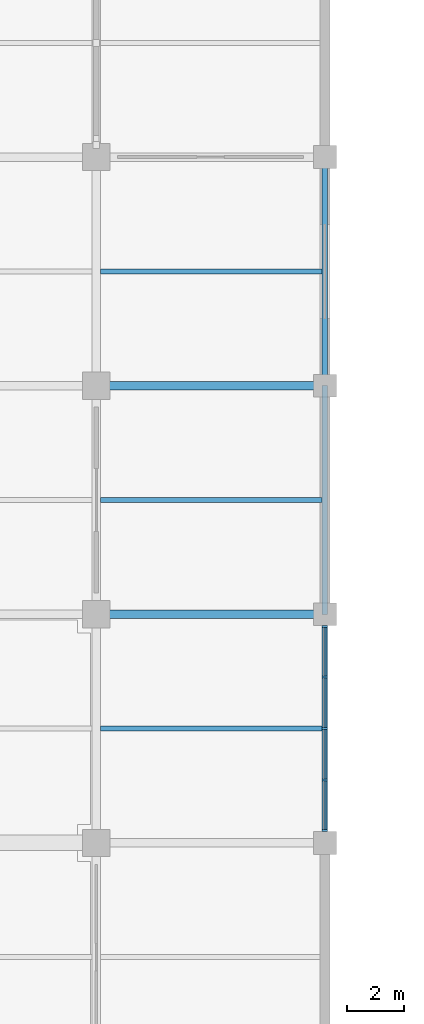
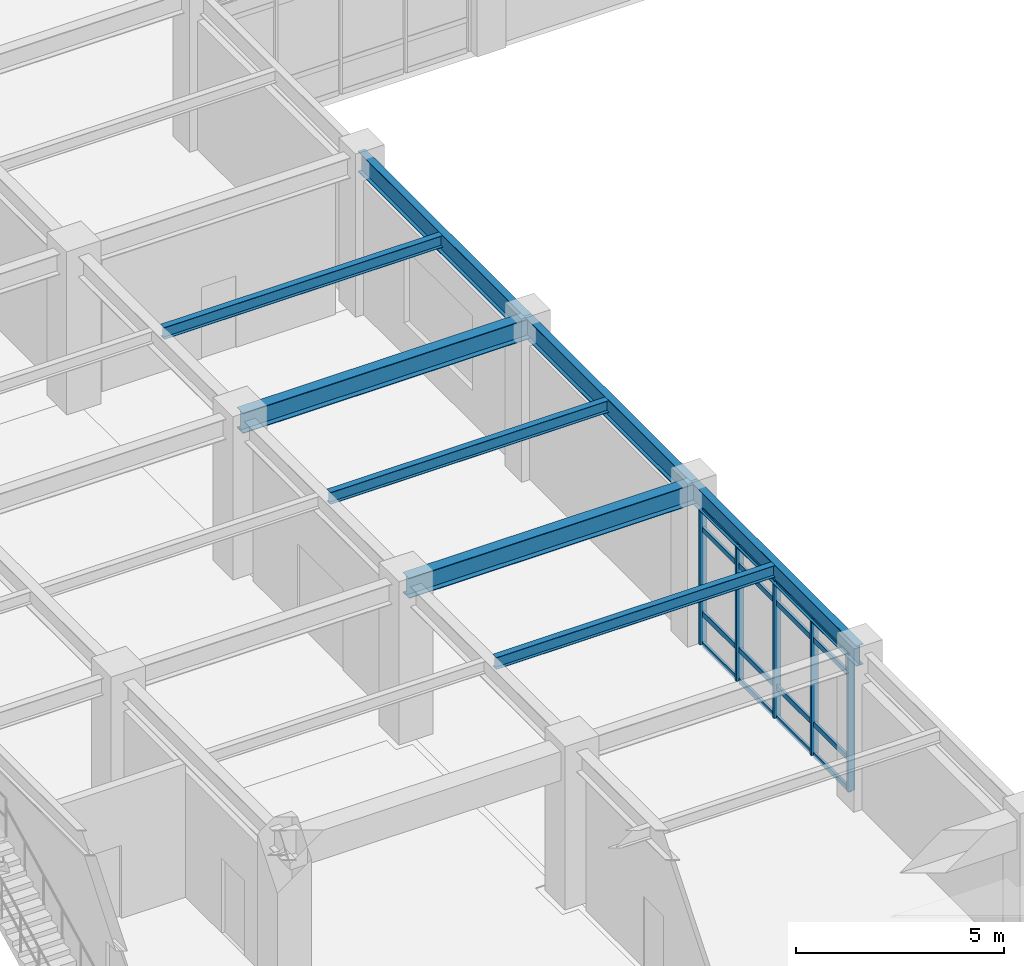
# One storey, part 33 of 109: 21 members, 8 beams, 1 element without a shape of its own.
"""IFC4 building model written with IfcOpenShell, lengths in metres."""

from ifc_helpers import new_model, si_unit, direction, frame, origin, origin_2d, place, context, subcontext, project, spatial, rectangle, i_section, extrude, material, layer, layer_set, material_profile, profile_set, type_object, element, aggregate, save


model = new_model("IFC4")

# Units and contexts
model_context = context("Model", 3, precision=1e-05, world=origin(), true_north=direction((0.0, 1.0)))
body_context = subcontext(model_context, "Body", "Model", "MODEL_VIEW")
ifc_project = project(units=[si_unit("LENGTHUNIT", "METRE"), si_unit("AREAUNIT", "SQUARE_METRE"), si_unit("VOLUMEUNIT", "CUBIC_METRE"), si_unit("PLANEANGLEUNIT", "RADIAN"), si_unit("MASSUNIT", "GRAM", prefix="KILO")], contexts=[model_context])

# Site, building, storey
site_placement = place(None, origin())
site = spatial("IfcSite", under=ifc_project, at=site_placement, CompositionType="ELEMENT")
building_placement = place(site_placement, origin())
building = spatial("IfcBuilding", under=site, at=building_placement, Name="Haebicheon Civic Stadium", CompositionType="ELEMENT")
storey_placement = place(building_placement, frame((0.0, 0.0, 9.60009765625)))
storey = spatial("IfcBuildingStorey", under=building, at=storey_placement, Name="L03", CompositionType="ELEMENT", Elevation=9.60009765625)

# Beams
ifc_material_1 = material(Name="Steel SM355 (S355)", Category="steel")
ifc_material_profile_1 = material_profile(ifc_material_1, i_section(OverallWidth=0.300048828125, OverallDepth=0.60009765625, WebThickness=0.011962890625, FlangeThickness=0.02001953125, at=origin_2d()), Name="H-600x300x12x20")
ifc_profile_set_1 = profile_set([ifc_material_profile_1], Name="Steel SM355 (S355)")
beam_type_1 = type_object("IfcBeamType", Name="BM-ST-H600A", PredefinedType="BEAM", material=ifc_profile_set_1)
for number, where, z_axis, x_axis, name in (
    (1, (160.0, 112.0, 4.239990234375), (1.0, 0.0, 0.0), (0.0, 1.0, 0.0), "L03 beam Q/21-22"),
    (2, (160.0, 120.0, 4.239990234375), (1.0, 0.0, 0.0), (0.0, 1.0, 0.0), "L03 beam R/21-22"),
):
    element("IfcBeam", number, at=place(storey_placement, frame(where, z_axis=z_axis, x_axis=x_axis)), inside=storey, type_object=beam_type_1, material=ifc_profile_set_1, Name=name, PredefinedType="BEAM", context=body_context, shape_type="SweptSolid", body=[
        extrude(i_section(OverallWidth=0.300048828125, OverallDepth=0.60009765625, WebThickness=0.011962890625, FlangeThickness=0.02001953125, at=origin_2d()), origin(), (0.0, 0.0, 1.0), 8.0),
    ])

# Curtain wall, members
ifc_material_2 = material(Name="Anodised aluminium and laminated glass", Category="aluminium")
ifc_layer = layer(ifc_material_2, 0.179931640625, Name="Anodised aluminium and laminated glass")
ifc_layer_set = layer_set([ifc_layer], Name="Anodised aluminium and laminated glass")
curtain_wall_type = type_object("IfcCurtainWallType", Name="CW-7200x3930", PredefinedType="NOTDEFINED", material=ifc_layer_set)
curtain_wall_placement = place(storey_placement, origin())
curtain_wall = element("IfcCurtainWall", 3, at=curtain_wall_placement, inside=storey, type_object=curtain_wall_type, material=ifc_layer_set, Name="L03 unitised curtain wall 089", PredefinedType="NOTDEFINED")
ifc_material_3 = material(Name="Anodised aluminium 6063-T6", Category="aluminium")
ifc_material_profile_2 = material_profile(ifc_material_3, rectangle(XDim=0.070068359375, YDim=0.199951171875, at=origin_2d()), Name="ALU-MULL-70x200")
ifc_profile_set_2 = profile_set([ifc_material_profile_2], Name="Anodised aluminium 6063-T6")
member_type_1 = type_object("IfcMemberType", Name="CWM-200x70", PredefinedType="MULLION", material=ifc_profile_set_2)
member_1_placement = place(storey_placement, frame((168.0, 104.43505859375, 0.0), z_axis=(0.0, 0.0, 1.0), x_axis=(0.0, 1.0, 0.0)))
member_1 = element("IfcMember", 4, at=member_1_placement, type_object=member_type_1, material=ifc_profile_set_2, Name="CW-L03-089 vertical mullion 1", PredefinedType="MULLION", context=body_context, shape_type="SweptSolid", body=[
    extrude(rectangle(XDim=0.070068359375, YDim=0.199951171875, at=origin_2d()), origin(), (0.0, 0.0, 1.0), 3.929931640625),
])
member_2_placement = place(storey_placement, frame((168.0, 106.199951171875, 0.0), z_axis=(0.0, 0.0, 1.0), x_axis=(0.0, 1.0, 0.0)))
member_2 = element("IfcMember", 5, at=member_2_placement, type_object=member_type_1, material=ifc_profile_set_2, Name="CW-L03-089 vertical mullion 2", PredefinedType="MULLION", context=body_context, shape_type="SweptSolid", body=[
    extrude(rectangle(XDim=0.070068359375, YDim=0.199951171875, at=origin_2d()), origin(), (0.0, 0.0, 1.0), 3.929931640625),
])
member_3_placement = place(storey_placement, frame((168.0, 108.0, 0.0), z_axis=(0.0, 0.0, 1.0), x_axis=(0.0, 1.0, 0.0)))
member_3 = element("IfcMember", 6, at=member_3_placement, type_object=member_type_1, material=ifc_profile_set_2, Name="CW-L03-089 vertical mullion 3", PredefinedType="MULLION", context=body_context, shape_type="SweptSolid", body=[
    extrude(rectangle(XDim=0.070068359375, YDim=0.199951171875, at=origin_2d()), origin(), (0.0, 0.0, 1.0), 3.929931640625),
])
member_4_placement = place(storey_placement, frame((168.0, 109.800048828125, 0.0), z_axis=(0.0, 0.0, 1.0), x_axis=(0.0, 1.0, 0.0)))
member_4 = element("IfcMember", 7, at=member_4_placement, type_object=member_type_1, material=ifc_profile_set_2, Name="CW-L03-089 vertical mullion 4", PredefinedType="MULLION", context=body_context, shape_type="SweptSolid", body=[
    extrude(rectangle(XDim=0.070068359375, YDim=0.199951171875, at=origin_2d()), origin(), (0.0, 0.0, 1.0), 3.929931640625),
])
member_5_placement = place(storey_placement, frame((168.0, 111.56494140625, 0.0), z_axis=(0.0, 0.0, 1.0), x_axis=(0.0, 1.0, 0.0)))
member_5 = element("IfcMember", 8, at=member_5_placement, type_object=member_type_1, material=ifc_profile_set_2, Name="CW-L03-089 vertical mullion 5", PredefinedType="MULLION", context=body_context, shape_type="SweptSolid", body=[
    extrude(rectangle(XDim=0.070068359375, YDim=0.199951171875, at=origin_2d()), origin(), (0.0, 0.0, 1.0), 3.929931640625),
])
ifc_material_4 = material(Name="Anodised aluminium 6063-T6", Category="aluminium")
ifc_material_profile_3 = material_profile(ifc_material_4, rectangle(XDim=0.070068359375, YDim=0.14990234375, at=origin_2d()), Name="ALU-TRAN-70x150")
ifc_profile_set_3 = profile_set([ifc_material_profile_3], Name="Anodised aluminium 6063-T6")
member_type_2 = type_object("IfcMemberType", Name="CWT-150x70", PredefinedType="NOTDEFINED", material=ifc_profile_set_3)
member_6_placement = place(storey_placement, frame((168.0, 104.469970703125, 0.0), z_axis=(0.0, 1.0, 0.0), x_axis=(-1.0, 0.0, 0.0)))
member_6 = element("IfcMember", 9, at=member_6_placement, type_object=member_type_2, material=ifc_profile_set_3, Name="CW-L03-089 horizontal transom 1.1", ObjectType="TRANSOM", PredefinedType="USERDEFINED", context=body_context, shape_type="SweptSolid", body=[
    extrude(rectangle(XDim=0.070068359375, YDim=0.14990234375, at=origin_2d()), origin(), (0.0, 0.0, 1.0), 1.695068359375),
])
member_7_placement = place(storey_placement, frame((168.0, 104.469970703125, 0.89990234375), z_axis=(0.0, 1.0, 0.0), x_axis=(-1.0, 0.0, 0.0)))
member_7 = element("IfcMember", 10, at=member_7_placement, type_object=member_type_2, material=ifc_profile_set_3, Name="CW-L03-089 horizontal transom 1.2", ObjectType="TRANSOM", PredefinedType="USERDEFINED", context=body_context, shape_type="SweptSolid", body=[
    extrude(rectangle(XDim=0.070068359375, YDim=0.14990234375, at=origin_2d()), origin(), (0.0, 0.0, 1.0), 1.695068359375),
])
member_8_placement = place(storey_placement, frame((168.0, 104.469970703125, 3.3798828125), z_axis=(0.0, 1.0, 0.0), x_axis=(-1.0, 0.0, 0.0)))
member_8 = element("IfcMember", 11, at=member_8_placement, type_object=member_type_2, material=ifc_profile_set_3, Name="CW-L03-089 horizontal transom 1.3", ObjectType="TRANSOM", PredefinedType="USERDEFINED", context=body_context, shape_type="SweptSolid", body=[
    extrude(rectangle(XDim=0.070068359375, YDim=0.14990234375, at=origin_2d()), origin(), (0.0, 0.0, 1.0), 1.695068359375),
])
member_9_placement = place(storey_placement, frame((168.0, 104.469970703125, 3.929931640625), z_axis=(0.0, 1.0, 0.0), x_axis=(-1.0, 0.0, 0.0)))
member_9 = element("IfcMember", 12, at=member_9_placement, type_object=member_type_2, material=ifc_profile_set_3, Name="CW-L03-089 horizontal transom 1.4", ObjectType="TRANSOM", PredefinedType="USERDEFINED", context=body_context, shape_type="SweptSolid", body=[
    extrude(rectangle(XDim=0.070068359375, YDim=0.14990234375, at=origin_2d()), origin(), (0.0, 0.0, 1.0), 1.695068359375),
])
member_10_placement = place(storey_placement, frame((168.0, 106.235107421875, 0.0), z_axis=(0.0, 1.0, 0.0), x_axis=(-1.0, 0.0, 0.0)))
member_10 = element("IfcMember", 13, at=member_10_placement, type_object=member_type_2, material=ifc_profile_set_3, Name="CW-L03-089 horizontal transom 2.1", ObjectType="TRANSOM", PredefinedType="USERDEFINED", context=body_context, shape_type="SweptSolid", body=[
    extrude(rectangle(XDim=0.070068359375, YDim=0.14990234375, at=origin_2d()), origin(), (0.0, 0.0, 1.0), 1.72998046875),
])
member_11_placement = place(storey_placement, frame((168.0, 106.235107421875, 0.89990234375), z_axis=(0.0, 1.0, 0.0), x_axis=(-1.0, 0.0, 0.0)))
member_11 = element("IfcMember", 14, at=member_11_placement, type_object=member_type_2, material=ifc_profile_set_3, Name="CW-L03-089 horizontal transom 2.2", ObjectType="TRANSOM", PredefinedType="USERDEFINED", context=body_context, shape_type="SweptSolid", body=[
    extrude(rectangle(XDim=0.070068359375, YDim=0.14990234375, at=origin_2d()), origin(), (0.0, 0.0, 1.0), 1.72998046875),
])
member_12_placement = place(storey_placement, frame((168.0, 106.235107421875, 3.3798828125), z_axis=(0.0, 1.0, 0.0), x_axis=(-1.0, 0.0, 0.0)))
member_12 = element("IfcMember", 15, at=member_12_placement, type_object=member_type_2, material=ifc_profile_set_3, Name="CW-L03-089 horizontal transom 2.3", ObjectType="TRANSOM", PredefinedType="USERDEFINED", context=body_context, shape_type="SweptSolid", body=[
    extrude(rectangle(XDim=0.070068359375, YDim=0.14990234375, at=origin_2d()), origin(), (0.0, 0.0, 1.0), 1.72998046875),
])
member_13_placement = place(storey_placement, frame((168.0, 106.235107421875, 3.929931640625), z_axis=(0.0, 1.0, 0.0), x_axis=(-1.0, 0.0, 0.0)))
member_13 = element("IfcMember", 16, at=member_13_placement, type_object=member_type_2, material=ifc_profile_set_3, Name="CW-L03-089 horizontal transom 2.4", ObjectType="TRANSOM", PredefinedType="USERDEFINED", context=body_context, shape_type="SweptSolid", body=[
    extrude(rectangle(XDim=0.070068359375, YDim=0.14990234375, at=origin_2d()), origin(), (0.0, 0.0, 1.0), 1.72998046875),
])
member_14_placement = place(storey_placement, frame((168.0, 108.034912109375, 0.0), z_axis=(0.0, 1.0, 0.0), x_axis=(-1.0, 0.0, 0.0)))
member_14 = element("IfcMember", 17, at=member_14_placement, type_object=member_type_2, material=ifc_profile_set_3, Name="CW-L03-089 horizontal transom 3.1", ObjectType="TRANSOM", PredefinedType="USERDEFINED", context=body_context, shape_type="SweptSolid", body=[
    extrude(rectangle(XDim=0.070068359375, YDim=0.14990234375, at=origin_2d()), origin(), (0.0, 0.0, 1.0), 1.72998046875),
])
member_15_placement = place(storey_placement, frame((168.0, 108.034912109375, 0.89990234375), z_axis=(0.0, 1.0, 0.0), x_axis=(-1.0, 0.0, 0.0)))
member_15 = element("IfcMember", 18, at=member_15_placement, type_object=member_type_2, material=ifc_profile_set_3, Name="CW-L03-089 horizontal transom 3.2", ObjectType="TRANSOM", PredefinedType="USERDEFINED", context=body_context, shape_type="SweptSolid", body=[
    extrude(rectangle(XDim=0.070068359375, YDim=0.14990234375, at=origin_2d()), origin(), (0.0, 0.0, 1.0), 1.72998046875),
])
member_16_placement = place(storey_placement, frame((168.0, 108.034912109375, 3.3798828125), z_axis=(0.0, 1.0, 0.0), x_axis=(-1.0, 0.0, 0.0)))
member_16 = element("IfcMember", 19, at=member_16_placement, type_object=member_type_2, material=ifc_profile_set_3, Name="CW-L03-089 horizontal transom 3.3", ObjectType="TRANSOM", PredefinedType="USERDEFINED", context=body_context, shape_type="SweptSolid", body=[
    extrude(rectangle(XDim=0.070068359375, YDim=0.14990234375, at=origin_2d()), origin(), (0.0, 0.0, 1.0), 1.72998046875),
])
member_17_placement = place(storey_placement, frame((168.0, 108.034912109375, 3.929931640625), z_axis=(0.0, 1.0, 0.0), x_axis=(-1.0, 0.0, 0.0)))
member_17 = element("IfcMember", 20, at=member_17_placement, type_object=member_type_2, material=ifc_profile_set_3, Name="CW-L03-089 horizontal transom 3.4", ObjectType="TRANSOM", PredefinedType="USERDEFINED", context=body_context, shape_type="SweptSolid", body=[
    extrude(rectangle(XDim=0.070068359375, YDim=0.14990234375, at=origin_2d()), origin(), (0.0, 0.0, 1.0), 1.72998046875),
])
member_18_placement = place(storey_placement, frame((168.0, 109.8349609375, 0.0), z_axis=(0.0, 1.0, 0.0), x_axis=(-1.0, 0.0, 0.0)))
member_18 = element("IfcMember", 21, at=member_18_placement, type_object=member_type_2, material=ifc_profile_set_3, Name="CW-L03-089 horizontal transom 4.1", ObjectType="TRANSOM", PredefinedType="USERDEFINED", context=body_context, shape_type="SweptSolid", body=[
    extrude(rectangle(XDim=0.070068359375, YDim=0.14990234375, at=origin_2d()), origin(), (0.0, 0.0, 1.0), 1.695068359375),
])
member_19_placement = place(storey_placement, frame((168.0, 109.8349609375, 0.89990234375), z_axis=(0.0, 1.0, 0.0), x_axis=(-1.0, 0.0, 0.0)))
member_19 = element("IfcMember", 22, at=member_19_placement, type_object=member_type_2, material=ifc_profile_set_3, Name="CW-L03-089 horizontal transom 4.2", ObjectType="TRANSOM", PredefinedType="USERDEFINED", context=body_context, shape_type="SweptSolid", body=[
    extrude(rectangle(XDim=0.070068359375, YDim=0.14990234375, at=origin_2d()), origin(), (0.0, 0.0, 1.0), 1.695068359375),
])
member_20_placement = place(storey_placement, frame((168.0, 109.8349609375, 3.3798828125), z_axis=(0.0, 1.0, 0.0), x_axis=(-1.0, 0.0, 0.0)))
member_20 = element("IfcMember", 23, at=member_20_placement, type_object=member_type_2, material=ifc_profile_set_3, Name="CW-L03-089 horizontal transom 4.3", ObjectType="TRANSOM", PredefinedType="USERDEFINED", context=body_context, shape_type="SweptSolid", body=[
    extrude(rectangle(XDim=0.070068359375, YDim=0.14990234375, at=origin_2d()), origin(), (0.0, 0.0, 1.0), 1.695068359375),
])
member_21_placement = place(storey_placement, frame((168.0, 109.8349609375, 3.929931640625), z_axis=(0.0, 1.0, 0.0), x_axis=(-1.0, 0.0, 0.0)))
member_21 = element("IfcMember", 24, at=member_21_placement, type_object=member_type_2, material=ifc_profile_set_3, Name="CW-L03-089 horizontal transom 4.4", ObjectType="TRANSOM", PredefinedType="USERDEFINED", context=body_context, shape_type="SweptSolid", body=[
    extrude(rectangle(XDim=0.070068359375, YDim=0.14990234375, at=origin_2d()), origin(), (0.0, 0.0, 1.0), 1.695068359375),
])
aggregate(curtain_wall, [member_1, member_2, member_3, member_4, member_5, member_6, member_7, member_8, member_9, member_10, member_11, member_12, member_13, member_14, member_15, member_16, member_17, member_18, member_19, member_20, member_21])

# Beams
ifc_material_5 = material(Name="Steel SM355 (S355)", Category="steel")
ifc_material_profile_4 = material_profile(ifc_material_5, i_section(OverallWidth=0.175048828125, OverallDepth=0.35009765625, WebThickness=0.007080078125, FlangeThickness=0.010986328125, at=origin_2d()), Name="H-350x175x7x11")
ifc_profile_set_4 = profile_set([ifc_material_profile_4], Name="Steel SM355 (S355)")
beam_type_2 = type_object("IfcBeamType", Name="JST-ST-H350", PredefinedType="JOIST", material=ifc_profile_set_4)
for number, where, z_axis, x_axis, name in (
    (25, (160.14990234375, 108.0, 4.364990234375), (1.0, 0.0, 0.0), (0.0, 1.0, 0.0), "L03 secondary joist 20-13"),
    (26, (160.14990234375, 116.0, 4.364990234375), (1.0, 0.0, 0.0), (0.0, 1.0, 0.0), "L03 secondary joist 20-14"),
    (27, (160.14990234375, 124.0, 4.364990234375), (1.0, 0.0, 0.0), (0.0, 1.0, 0.0), "L03 secondary joist 20-15"),
):
    element("IfcBeam", number, at=place(storey_placement, frame(where, z_axis=z_axis, x_axis=x_axis)), inside=storey, type_object=beam_type_2, material=ifc_profile_set_4, Name=name, PredefinedType="JOIST", context=body_context, shape_type="SweptSolid", body=[
        extrude(i_section(OverallWidth=0.175048828125, OverallDepth=0.35009765625, WebThickness=0.007080078125, FlangeThickness=0.010986328125, at=origin_2d()), origin(), (0.0, 0.0, 1.0), 7.75),
    ])
ifc_material_6 = material(Name="Steel SM355 (S355)", Category="steel")
ifc_material_profile_5 = material_profile(ifc_material_6, i_section(OverallWidth=0.199951171875, OverallDepth=0.60009765625, WebThickness=0.010986328125, FlangeThickness=0.01708984375, at=origin_2d()), Name="H-600x200x11x17")
ifc_profile_set_5 = profile_set([ifc_material_profile_5], Name="Steel SM355 (S355)")
beam_type_3 = type_object("IfcBeamType", Name="SPD-ST-H600B", PredefinedType="SPANDREL", material=ifc_profile_set_5)
for number, where, z_axis, x_axis, name in (
    (28, (168.0, 104.0, 4.239990234375), (0.0, 1.0, 0.0), (-1.0, 0.0, 0.0), "L03 girder 22/P-Q"),
    (29, (168.0, 112.0, 4.239990234375), (0.0, 1.0, 0.0), (-1.0, 0.0, 0.0), "L03 girder 22/Q-R"),
    (30, (168.0, 120.0, 4.239990234375), (0.0, 1.0, 0.0), (-1.0, 0.0, 0.0), "L03 girder 22/R-S"),
):
    element("IfcBeam", number, at=place(storey_placement, frame(where, z_axis=z_axis, x_axis=x_axis)), inside=storey, type_object=beam_type_3, material=ifc_profile_set_5, Name=name, PredefinedType="SPANDREL", context=body_context, shape_type="SweptSolid", body=[
        extrude(i_section(OverallWidth=0.199951171875, OverallDepth=0.60009765625, WebThickness=0.010986328125, FlangeThickness=0.01708984375, at=origin_2d()), origin(), (0.0, 0.0, 1.0), 8.0),
    ])

save(model, "model.ifc")
